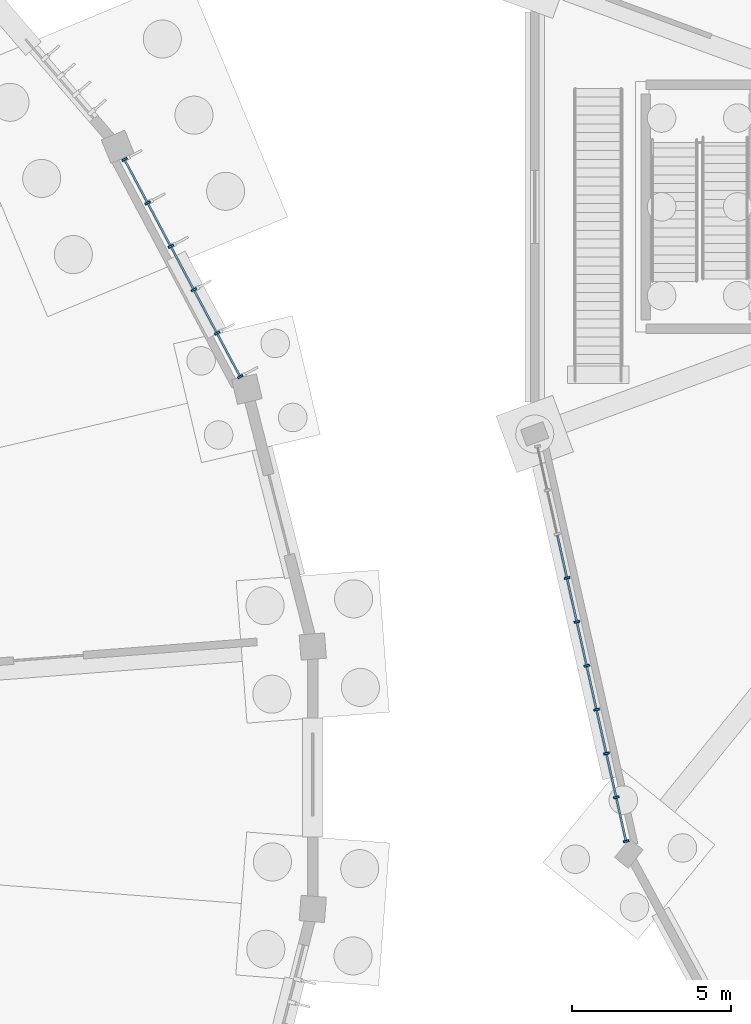
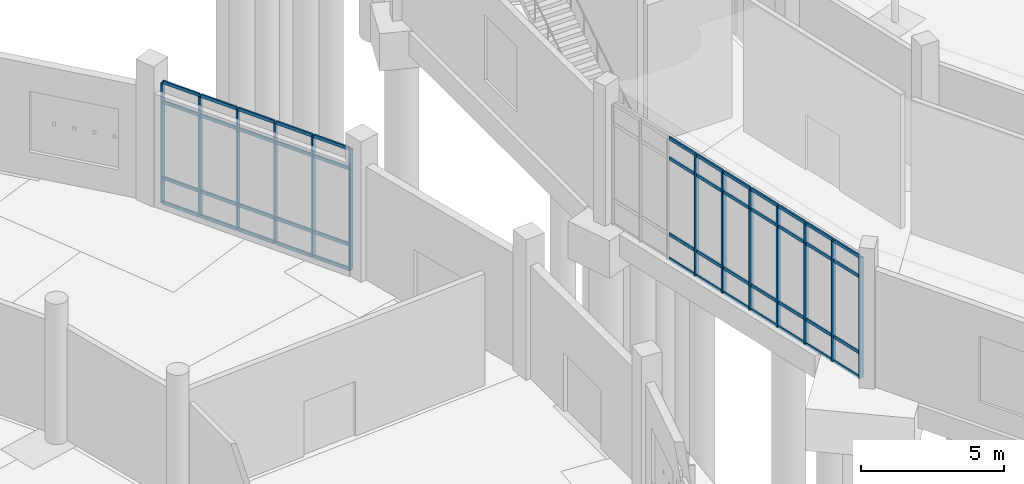
# One storey, part 41 of 140: 61 members, 2 elements without a shape of their own.
"""IFC4 building model written with IfcOpenShell, lengths in metres."""

from ifc_helpers import new_model, si_unit, direction, frame, origin, origin_2d, place, context, subcontext, project, spatial, rectangle, extrude, material, layer, layer_set, material_profile, profile_set, type_object, element, aggregate, save


model = new_model("IFC4")

# Units and contexts
model_context = context("Model", 3, precision=1e-05, world=origin(), true_north=direction((0.0, 1.0)))
body_context = subcontext(model_context, "Body", "Model", "MODEL_VIEW")
ifc_project = project(units=[si_unit("LENGTHUNIT", "METRE"), si_unit("AREAUNIT", "SQUARE_METRE"), si_unit("VOLUMEUNIT", "CUBIC_METRE"), si_unit("PLANEANGLEUNIT", "RADIAN"), si_unit("MASSUNIT", "GRAM", prefix="KILO")], contexts=[model_context])

# Site, building, storey
site_placement = place(None, origin())
site = spatial("IfcSite", under=ifc_project, at=site_placement, CompositionType="ELEMENT")
building_placement = place(site_placement, origin())
building = spatial("IfcBuilding", under=site, at=building_placement, Name="Corvandel Quay Wholesale Market", CompositionType="ELEMENT")
storey_placement = place(building_placement, origin())
storey = spatial("IfcBuildingStorey", under=building, at=storey_placement, Name="L00", CompositionType="ELEMENT", Elevation=0.0)

# Curtain wall, members
ifc_material_1 = material(Name="Bronze anodised aluminium and low-E insulated glazing", Category="aluminium")
ifc_layer_1 = layer(ifc_material_1, 0.174072265625)
ifc_layer_set_1 = layer_set([ifc_layer_1], Name="Bronze anodised aluminium and low-E insulated glazing")
curtain_wall_type_1 = type_object("IfcCurtainWallType", Name="Stick Curtain Wall System CW02 H3180", PredefinedType="NOTDEFINED", material=ifc_layer_set_1)
curtain_wall_1_placement = place(storey_placement, origin())
curtain_wall_1 = element("IfcCurtainWall", 1, at=curtain_wall_1_placement, inside=storey, type_object=curtain_wall_type_1, Name="Curtain Wall CW-0003", PredefinedType="NOTDEFINED")
ifc_material_2 = material(Name="Anodised aluminium 6063-T6", Category="aluminium")
ifc_material_profile_1 = material_profile(ifc_material_2, rectangle(XDim=0.06494140625, YDim=0.179931640625, at=origin_2d()), Name="ALU-MUL-65x180")
ifc_profile_set_1 = profile_set([ifc_material_profile_1], Name="Anodised aluminium 6063-T6")
member_type_1 = type_object("IfcMemberType", Name="Curtain Wall Mullion ML01 65x180", PredefinedType="MULLION", material=ifc_profile_set_1)
member_1_placement = place(storey_placement, frame((165.71337890625, 54.648193359375, 0.0), z_axis=(0.0, 0.0, 1.0), x_axis=(-0.470087862033, 0.882619624736, 0.0)))
member_1 = element("IfcMember", 2, at=member_1_placement, type_object=member_type_1, Name="Mullion CW-0003-M00", PredefinedType="MULLION", context=body_context, shape_type="SweptSolid", body=[
    extrude(rectangle(XDim=0.06494140625, YDim=0.179931640625, at=origin_2d()), origin(), (0.0, 0.0, 1.0), 5.14990234375),
])
member_2_placement = place(storey_placement, frame((164.98388671875, 56.017822265625, 0.0), z_axis=(0.0, 0.0, 1.0), x_axis=(-0.470087862033, 0.882619624736, 0.0)))
member_2 = element("IfcMember", 3, at=member_2_placement, type_object=member_type_1, Name="Mullion CW-0003-M01", PredefinedType="MULLION", context=body_context, shape_type="SweptSolid", body=[
    extrude(rectangle(XDim=0.06494140625, YDim=0.179931640625, at=origin_2d()), origin(), (0.0, 0.0, 1.0), 5.14990234375),
])
member_3_placement = place(storey_placement, frame((164.25439453125, 57.3876953125, 0.0), z_axis=(0.0, 0.0, 1.0), x_axis=(-0.470087862033, 0.882619624736, 0.0)))
member_3 = element("IfcMember", 4, at=member_3_placement, type_object=member_type_1, Name="Mullion CW-0003-M02", PredefinedType="MULLION", context=body_context, shape_type="SweptSolid", body=[
    extrude(rectangle(XDim=0.06494140625, YDim=0.179931640625, at=origin_2d()), origin(), (0.0, 0.0, 1.0), 5.14990234375),
])
member_4_placement = place(storey_placement, frame((163.524658203125, 58.75732421875, 0.0), z_axis=(0.0, 0.0, 1.0), x_axis=(-0.470087862033, 0.882619624736, 0.0)))
member_4 = element("IfcMember", 5, at=member_4_placement, type_object=member_type_1, Name="Mullion CW-0003-M03", PredefinedType="MULLION", context=body_context, shape_type="SweptSolid", body=[
    extrude(rectangle(XDim=0.06494140625, YDim=0.179931640625, at=origin_2d()), origin(), (0.0, 0.0, 1.0), 5.14990234375),
])
member_5_placement = place(storey_placement, frame((162.795166015625, 60.127197265625, 0.0), z_axis=(0.0, 0.0, 1.0), x_axis=(-0.470087862033, 0.882619624736, 0.0)))
member_5 = element("IfcMember", 6, at=member_5_placement, type_object=member_type_1, Name="Mullion CW-0003-M04", PredefinedType="MULLION", context=body_context, shape_type="SweptSolid", body=[
    extrude(rectangle(XDim=0.06494140625, YDim=0.179931640625, at=origin_2d()), origin(), (0.0, 0.0, 1.0), 5.14990234375),
])
member_6_placement = place(storey_placement, frame((162.0654296875, 61.496826171875, 0.0), z_axis=(0.0, 0.0, 1.0), x_axis=(-0.470087862033, 0.882619624736, 0.0)))
member_6 = element("IfcMember", 7, at=member_6_placement, type_object=member_type_1, Name="Mullion CW-0003-M05", PredefinedType="MULLION", context=body_context, shape_type="SweptSolid", body=[
    extrude(rectangle(XDim=0.06494140625, YDim=0.179931640625, at=origin_2d()), origin(), (0.0, 0.0, 1.0), 5.14990234375),
])

ifc_layer_2 = layer(ifc_material_1, 0.14990234375)
ifc_layer_set_2 = layer_set([ifc_layer_2], Name="Bronze anodised aluminium and low-E insulated glazing")
curtain_wall_type_2 = type_object("IfcCurtainWallType", Name="Stick Curtain Wall System CW10 H3900", PredefinedType="NOTDEFINED", material=ifc_layer_set_2)
curtain_wall_2_placement = place(storey_placement, origin())
curtain_wall_2 = element("IfcCurtainWall", 8, at=curtain_wall_2_placement, inside=storey, type_object=curtain_wall_type_2, Name="Curtain Wall CW-0136", PredefinedType="NOTDEFINED")
member_7_placement = place(storey_placement, frame((176.018798828125, 48.298583984375, 0.0), z_axis=(0.0, 0.0, 1.0), x_axis=(-0.218994806262, 0.975726024471, 0.0)))
member_7 = element("IfcMember", 9, at=member_7_placement, type_object=member_type_1, Name="Mullion CW-0136-M03", PredefinedType="MULLION", context=body_context, shape_type="SweptSolid", body=[
    extrude(rectangle(XDim=0.06494140625, YDim=0.179931640625, at=origin_2d()), origin(), (0.0, 0.0, 1.0), 5.14990234375),
])
member_8_placement = place(storey_placement, frame((176.329345703125, 46.915283203125, 0.0), z_axis=(0.0, 0.0, 1.0), x_axis=(-0.218994806262, 0.975726024471, 0.0)))
member_8 = element("IfcMember", 10, at=member_8_placement, type_object=member_type_1, Name="Mullion CW-0136-M04", PredefinedType="MULLION", context=body_context, shape_type="SweptSolid", body=[
    extrude(rectangle(XDim=0.06494140625, YDim=0.179931640625, at=origin_2d()), origin(), (0.0, 0.0, 1.0), 5.14990234375),
])
member_9_placement = place(storey_placement, frame((176.6396484375, 45.53173828125, 0.0), z_axis=(0.0, 0.0, 1.0), x_axis=(-0.218994806262, 0.975726024471, 0.0)))
member_9 = element("IfcMember", 11, at=member_9_placement, type_object=member_type_1, Name="Mullion CW-0136-M05", PredefinedType="MULLION", context=body_context, shape_type="SweptSolid", body=[
    extrude(rectangle(XDim=0.06494140625, YDim=0.179931640625, at=origin_2d()), origin(), (0.0, 0.0, 1.0), 5.14990234375),
])
member_10_placement = place(storey_placement, frame((176.9501953125, 44.1484375, 0.0), z_axis=(0.0, 0.0, 1.0), x_axis=(-0.218994806262, 0.975726024471, 0.0)))
member_10 = element("IfcMember", 12, at=member_10_placement, type_object=member_type_1, Name="Mullion CW-0136-M06", PredefinedType="MULLION", context=body_context, shape_type="SweptSolid", body=[
    extrude(rectangle(XDim=0.06494140625, YDim=0.179931640625, at=origin_2d()), origin(), (0.0, 0.0, 1.0), 5.14990234375),
])
member_11_placement = place(storey_placement, frame((177.260498046875, 42.76513671875, 0.0), z_axis=(0.0, 0.0, 1.0), x_axis=(-0.218994806262, 0.975726024471, 0.0)))
member_11 = element("IfcMember", 13, at=member_11_placement, type_object=member_type_1, Name="Mullion CW-0136-M07", PredefinedType="MULLION", context=body_context, shape_type="SweptSolid", body=[
    extrude(rectangle(XDim=0.06494140625, YDim=0.179931640625, at=origin_2d()), origin(), (0.0, 0.0, 1.0), 5.14990234375),
])
member_12_placement = place(storey_placement, frame((177.571044921875, 41.381591796875, 0.0), z_axis=(0.0, 0.0, 1.0), x_axis=(-0.218994806262, 0.975726024471, 0.0)))
member_12 = element("IfcMember", 14, at=member_12_placement, type_object=member_type_1, Name="Mullion CW-0136-M08", PredefinedType="MULLION", context=body_context, shape_type="SweptSolid", body=[
    extrude(rectangle(XDim=0.06494140625, YDim=0.179931640625, at=origin_2d()), origin(), (0.0, 0.0, 1.0), 5.14990234375),
])
member_13_placement = place(storey_placement, frame((177.88134765625, 39.998291015625, 0.0), z_axis=(0.0, 0.0, 1.0), x_axis=(-0.218994806262, 0.975726024471, 0.0)))
member_13 = element("IfcMember", 15, at=member_13_placement, type_object=member_type_1, Name="Mullion CW-0136-M09", PredefinedType="MULLION", context=body_context, shape_type="SweptSolid", body=[
    extrude(rectangle(XDim=0.06494140625, YDim=0.179931640625, at=origin_2d()), origin(), (0.0, 0.0, 1.0), 5.14990234375),
])

# Member
ifc_material_profile_2 = material_profile(ifc_material_2, rectangle(XDim=0.06494140625, YDim=0.139892578125, at=origin_2d()), Name="ALU-TRN-65x140")
ifc_profile_set_2 = profile_set([ifc_material_profile_2], Name="Anodised aluminium 6063-T6")
member_type_2 = type_object("IfcMemberType", Name="Curtain Wall Transom TR01 65x140", PredefinedType="USERDEFINED", material=ifc_profile_set_2)
member_14_placement = place(storey_placement, frame((165.6982421875, 54.677001953125, 0.0), z_axis=(-0.470119417089, 0.882602817623, 0.0), x_axis=(-0.882602817623, -0.470119417089, 0.0)))
member_14 = element("IfcMember", 16, at=member_14_placement, type_object=member_type_2, Name="Transom CW-0003-T00-0", ObjectType="TRANSOM", PredefinedType="USERDEFINED", context=body_context, shape_type="SweptSolid", body=[
    extrude(rectangle(XDim=0.06494140625, YDim=0.139892578125, at=origin_2d()), origin(), (0.0, 0.0, 1.0), 1.48681640625),
])

member_15_placement = place(storey_placement, frame((165.6982421875, 54.677001953125, 1.050048828125), z_axis=(-0.470119417089, 0.882602817623, 0.0), x_axis=(-0.882602817623, -0.470119417089, 0.0)))
member_15 = element("IfcMember", 17, at=member_15_placement, type_object=member_type_2, Name="Transom CW-0003-T00-1", ObjectType="TRANSOM", PredefinedType="USERDEFINED", context=body_context, shape_type="SweptSolid", body=[
    extrude(rectangle(XDim=0.06494140625, YDim=0.139892578125, at=origin_2d()), origin(), (0.0, 0.0, 1.0), 1.48681640625),
])

member_16_placement = place(storey_placement, frame((165.6982421875, 54.677001953125, 4.300048828125), z_axis=(-0.470119417089, 0.882602817623, 0.0), x_axis=(-0.882602817623, -0.470119417089, 0.0)))
member_16 = element("IfcMember", 18, at=member_16_placement, type_object=member_type_2, Name="Transom CW-0003-T00-2", ObjectType="TRANSOM", PredefinedType="USERDEFINED", context=body_context, shape_type="SweptSolid", body=[
    extrude(rectangle(XDim=0.06494140625, YDim=0.139892578125, at=origin_2d()), origin(), (0.0, 0.0, 1.0), 1.48681640625),
])

member_17_placement = place(storey_placement, frame((165.6982421875, 54.677001953125, 5.14990234375), z_axis=(-0.470119417089, 0.882602817623, 0.0), x_axis=(-0.882602817623, -0.470119417089, 0.0)))
member_17 = element("IfcMember", 19, at=member_17_placement, type_object=member_type_2, Name="Transom CW-0003-T00-3", ObjectType="TRANSOM", PredefinedType="USERDEFINED", context=body_context, shape_type="SweptSolid", body=[
    extrude(rectangle(XDim=0.06494140625, YDim=0.139892578125, at=origin_2d()), origin(), (0.0, 0.0, 1.0), 1.48681640625),
])

member_18_placement = place(storey_placement, frame((164.968505859375, 56.046630859375, 0.0), z_axis=(-0.470119417089, 0.882602817623, 0.0), x_axis=(-0.882602817623, -0.470119417089, 0.0)))
member_18 = element("IfcMember", 20, at=member_18_placement, type_object=member_type_2, Name="Transom CW-0003-T01-0", ObjectType="TRANSOM", PredefinedType="USERDEFINED", context=body_context, shape_type="SweptSolid", body=[
    extrude(rectangle(XDim=0.06494140625, YDim=0.139892578125, at=origin_2d()), origin(), (0.0, 0.0, 1.0), 1.48681640625),
])

member_19_placement = place(storey_placement, frame((164.968505859375, 56.046630859375, 1.050048828125), z_axis=(-0.470119417089, 0.882602817623, 0.0), x_axis=(-0.882602817623, -0.470119417089, 0.0)))
member_19 = element("IfcMember", 21, at=member_19_placement, type_object=member_type_2, Name="Transom CW-0003-T01-1", ObjectType="TRANSOM", PredefinedType="USERDEFINED", context=body_context, shape_type="SweptSolid", body=[
    extrude(rectangle(XDim=0.06494140625, YDim=0.139892578125, at=origin_2d()), origin(), (0.0, 0.0, 1.0), 1.48681640625),
])

member_20_placement = place(storey_placement, frame((164.968505859375, 56.046630859375, 4.300048828125), z_axis=(-0.470119417089, 0.882602817623, 0.0), x_axis=(-0.882602817623, -0.470119417089, 0.0)))
member_20 = element("IfcMember", 22, at=member_20_placement, type_object=member_type_2, Name="Transom CW-0003-T01-2", ObjectType="TRANSOM", PredefinedType="USERDEFINED", context=body_context, shape_type="SweptSolid", body=[
    extrude(rectangle(XDim=0.06494140625, YDim=0.139892578125, at=origin_2d()), origin(), (0.0, 0.0, 1.0), 1.48681640625),
])

member_21_placement = place(storey_placement, frame((164.968505859375, 56.046630859375, 5.14990234375), z_axis=(-0.470119417089, 0.882602817623, 0.0), x_axis=(-0.882602817623, -0.470119417089, 0.0)))
member_21 = element("IfcMember", 23, at=member_21_placement, type_object=member_type_2, Name="Transom CW-0003-T01-3", ObjectType="TRANSOM", PredefinedType="USERDEFINED", context=body_context, shape_type="SweptSolid", body=[
    extrude(rectangle(XDim=0.06494140625, YDim=0.139892578125, at=origin_2d()), origin(), (0.0, 0.0, 1.0), 1.48681640625),
])

member_22_placement = place(storey_placement, frame((164.239013671875, 57.416259765625, 0.0), z_axis=(-0.470051292118, 0.882639101093, 0.0), x_axis=(-0.882639101093, -0.470051292118, 0.0)))
member_22 = element("IfcMember", 24, at=member_22_placement, type_object=member_type_2, Name="Transom CW-0003-T02-0", ObjectType="TRANSOM", PredefinedType="USERDEFINED", context=body_context, shape_type="SweptSolid", body=[
    extrude(rectangle(XDim=0.06494140625, YDim=0.139892578125, at=origin_2d()), origin(), (0.0, 0.0, 1.0), 1.487060546875),
])

member_23_placement = place(storey_placement, frame((164.239013671875, 57.416259765625, 1.050048828125), z_axis=(-0.470051292118, 0.882639101093, 0.0), x_axis=(-0.882639101093, -0.470051292118, 0.0)))
member_23 = element("IfcMember", 25, at=member_23_placement, type_object=member_type_2, Name="Transom CW-0003-T02-1", ObjectType="TRANSOM", PredefinedType="USERDEFINED", context=body_context, shape_type="SweptSolid", body=[
    extrude(rectangle(XDim=0.06494140625, YDim=0.139892578125, at=origin_2d()), origin(), (0.0, 0.0, 1.0), 1.487060546875),
])

member_24_placement = place(storey_placement, frame((164.239013671875, 57.416259765625, 4.300048828125), z_axis=(-0.470051292118, 0.882639101093, 0.0), x_axis=(-0.882639101093, -0.470051292118, 0.0)))
member_24 = element("IfcMember", 26, at=member_24_placement, type_object=member_type_2, Name="Transom CW-0003-T02-2", ObjectType="TRANSOM", PredefinedType="USERDEFINED", context=body_context, shape_type="SweptSolid", body=[
    extrude(rectangle(XDim=0.06494140625, YDim=0.139892578125, at=origin_2d()), origin(), (0.0, 0.0, 1.0), 1.487060546875),
])

member_25_placement = place(storey_placement, frame((164.239013671875, 57.416259765625, 5.14990234375), z_axis=(-0.470051292118, 0.882639101093, 0.0), x_axis=(-0.882639101093, -0.470051292118, 0.0)))
member_25 = element("IfcMember", 27, at=member_25_placement, type_object=member_type_2, Name="Transom CW-0003-T02-3", ObjectType="TRANSOM", PredefinedType="USERDEFINED", context=body_context, shape_type="SweptSolid", body=[
    extrude(rectangle(XDim=0.06494140625, YDim=0.139892578125, at=origin_2d()), origin(), (0.0, 0.0, 1.0), 1.487060546875),
])

member_26_placement = place(storey_placement, frame((163.509521484375, 58.785888671875, 0.0), z_axis=(-0.470179183109, 0.882570980585, 0.0), x_axis=(-0.882570980585, -0.470179183109, 0.0)))
member_26 = element("IfcMember", 28, at=member_26_placement, type_object=member_type_2, Name="Transom CW-0003-T03-0", ObjectType="TRANSOM", PredefinedType="USERDEFINED", context=body_context, shape_type="SweptSolid", body=[
    extrude(rectangle(XDim=0.06494140625, YDim=0.139892578125, at=origin_2d()), origin(), (0.0, 0.0, 1.0), 1.487060546875),
])

member_27_placement = place(storey_placement, frame((163.509521484375, 58.785888671875, 1.050048828125), z_axis=(-0.470179183109, 0.882570980585, 0.0), x_axis=(-0.882570980585, -0.470179183109, 0.0)))
member_27 = element("IfcMember", 29, at=member_27_placement, type_object=member_type_2, Name="Transom CW-0003-T03-1", ObjectType="TRANSOM", PredefinedType="USERDEFINED", context=body_context, shape_type="SweptSolid", body=[
    extrude(rectangle(XDim=0.06494140625, YDim=0.139892578125, at=origin_2d()), origin(), (0.0, 0.0, 1.0), 1.487060546875),
])

member_28_placement = place(storey_placement, frame((163.509521484375, 58.785888671875, 4.300048828125), z_axis=(-0.470179183109, 0.882570980585, 0.0), x_axis=(-0.882570980585, -0.470179183109, 0.0)))
member_28 = element("IfcMember", 30, at=member_28_placement, type_object=member_type_2, Name="Transom CW-0003-T03-2", ObjectType="TRANSOM", PredefinedType="USERDEFINED", context=body_context, shape_type="SweptSolid", body=[
    extrude(rectangle(XDim=0.06494140625, YDim=0.139892578125, at=origin_2d()), origin(), (0.0, 0.0, 1.0), 1.487060546875),
])

member_29_placement = place(storey_placement, frame((163.509521484375, 58.785888671875, 5.14990234375), z_axis=(-0.470179183109, 0.882570980585, 0.0), x_axis=(-0.882570980585, -0.470179183109, 0.0)))
member_29 = element("IfcMember", 31, at=member_29_placement, type_object=member_type_2, Name="Transom CW-0003-T03-3", ObjectType="TRANSOM", PredefinedType="USERDEFINED", context=body_context, shape_type="SweptSolid", body=[
    extrude(rectangle(XDim=0.06494140625, YDim=0.139892578125, at=origin_2d()), origin(), (0.0, 0.0, 1.0), 1.487060546875),
])

member_30_placement = place(storey_placement, frame((162.77978515625, 60.15576171875, 0.0), z_axis=(-0.470119417089, 0.882602817623, 0.0), x_axis=(-0.882602817623, -0.470119417089, 0.0)))
member_30 = element("IfcMember", 32, at=member_30_placement, type_object=member_type_2, Name="Transom CW-0003-T04-0", ObjectType="TRANSOM", PredefinedType="USERDEFINED", context=body_context, shape_type="SweptSolid", body=[
    extrude(rectangle(XDim=0.06494140625, YDim=0.139892578125, at=origin_2d()), origin(), (0.0, 0.0, 1.0), 1.48681640625),
])

member_31_placement = place(storey_placement, frame((162.77978515625, 60.15576171875, 1.050048828125), z_axis=(-0.470119417089, 0.882602817623, 0.0), x_axis=(-0.882602817623, -0.470119417089, 0.0)))
member_31 = element("IfcMember", 33, at=member_31_placement, type_object=member_type_2, Name="Transom CW-0003-T04-1", ObjectType="TRANSOM", PredefinedType="USERDEFINED", context=body_context, shape_type="SweptSolid", body=[
    extrude(rectangle(XDim=0.06494140625, YDim=0.139892578125, at=origin_2d()), origin(), (0.0, 0.0, 1.0), 1.48681640625),
])

member_32_placement = place(storey_placement, frame((162.77978515625, 60.15576171875, 4.300048828125), z_axis=(-0.470119417089, 0.882602817623, 0.0), x_axis=(-0.882602817623, -0.470119417089, 0.0)))
member_32 = element("IfcMember", 34, at=member_32_placement, type_object=member_type_2, Name="Transom CW-0003-T04-2", ObjectType="TRANSOM", PredefinedType="USERDEFINED", context=body_context, shape_type="SweptSolid", body=[
    extrude(rectangle(XDim=0.06494140625, YDim=0.139892578125, at=origin_2d()), origin(), (0.0, 0.0, 1.0), 1.48681640625),
])

member_33_placement = place(storey_placement, frame((162.77978515625, 60.15576171875, 5.14990234375), z_axis=(-0.470119417089, 0.882602817623, 0.0), x_axis=(-0.882602817623, -0.470119417089, 0.0)))
member_33 = element("IfcMember", 35, at=member_33_placement, type_object=member_type_2, Name="Transom CW-0003-T04-3", ObjectType="TRANSOM", PredefinedType="USERDEFINED", context=body_context, shape_type="SweptSolid", body=[
    extrude(rectangle(XDim=0.06494140625, YDim=0.139892578125, at=origin_2d()), origin(), (0.0, 0.0, 1.0), 1.48681640625),
])

aggregate(curtain_wall_1, [member_1, member_2, member_3, member_4, member_5, member_6, member_14, member_15, member_16, member_17, member_18, member_19, member_20, member_21, member_22, member_23, member_24, member_25, member_26, member_27, member_28, member_29, member_30, member_31, member_32, member_33])

member_34_placement = place(storey_placement, frame((175.715576171875, 49.650146484375, 0.0), z_axis=(0.218936644466, -0.975739076654, 0.0), x_axis=(0.975739076654, 0.218936644466, 0.0)))
member_34 = element("IfcMember", 36, at=member_34_placement, type_object=member_type_2, Name="Transom CW-0136-T02-0", ObjectType="TRANSOM", PredefinedType="USERDEFINED", context=body_context, shape_type="SweptSolid", body=[
    extrude(rectangle(XDim=0.06494140625, YDim=0.139892578125, at=origin_2d()), origin(), (0.0, 0.0, 1.0), 1.3525390625),
])

member_35_placement = place(storey_placement, frame((175.715576171875, 49.650146484375, 1.050048828125), z_axis=(0.218936644466, -0.975739076654, 0.0), x_axis=(0.975739076654, 0.218936644466, 0.0)))
member_35 = element("IfcMember", 37, at=member_35_placement, type_object=member_type_2, Name="Transom CW-0136-T02-1", ObjectType="TRANSOM", PredefinedType="USERDEFINED", context=body_context, shape_type="SweptSolid", body=[
    extrude(rectangle(XDim=0.06494140625, YDim=0.139892578125, at=origin_2d()), origin(), (0.0, 0.0, 1.0), 1.3525390625),
])

member_36_placement = place(storey_placement, frame((175.715576171875, 49.650146484375, 4.300048828125), z_axis=(0.218936644466, -0.975739076654, 0.0), x_axis=(0.975739076654, 0.218936644466, 0.0)))
member_36 = element("IfcMember", 38, at=member_36_placement, type_object=member_type_2, Name="Transom CW-0136-T02-2", ObjectType="TRANSOM", PredefinedType="USERDEFINED", context=body_context, shape_type="SweptSolid", body=[
    extrude(rectangle(XDim=0.06494140625, YDim=0.139892578125, at=origin_2d()), origin(), (0.0, 0.0, 1.0), 1.3525390625),
])

member_37_placement = place(storey_placement, frame((175.715576171875, 49.650146484375, 5.14990234375), z_axis=(0.218936644466, -0.975739076654, 0.0), x_axis=(0.975739076654, 0.218936644466, 0.0)))
member_37 = element("IfcMember", 39, at=member_37_placement, type_object=member_type_2, Name="Transom CW-0136-T02-3", ObjectType="TRANSOM", PredefinedType="USERDEFINED", context=body_context, shape_type="SweptSolid", body=[
    extrude(rectangle(XDim=0.06494140625, YDim=0.139892578125, at=origin_2d()), origin(), (0.0, 0.0, 1.0), 1.3525390625),
])

member_38_placement = place(storey_placement, frame((176.02587890625, 48.266845703125, 0.0), z_axis=(0.21910847459, -0.975700505464, 0.0), x_axis=(0.975700505464, 0.21910847459, 0.0)))
member_38 = element("IfcMember", 40, at=member_38_placement, type_object=member_type_2, Name="Transom CW-0136-T03-0", ObjectType="TRANSOM", PredefinedType="USERDEFINED", context=body_context, shape_type="SweptSolid", body=[
    extrude(rectangle(XDim=0.06494140625, YDim=0.139892578125, at=origin_2d()), origin(), (0.0, 0.0, 1.0), 1.352783203125),
])

member_39_placement = place(storey_placement, frame((176.02587890625, 48.266845703125, 1.050048828125), z_axis=(0.21910847459, -0.975700505464, 0.0), x_axis=(0.975700505464, 0.21910847459, 0.0)))
member_39 = element("IfcMember", 41, at=member_39_placement, type_object=member_type_2, Name="Transom CW-0136-T03-1", ObjectType="TRANSOM", PredefinedType="USERDEFINED", context=body_context, shape_type="SweptSolid", body=[
    extrude(rectangle(XDim=0.06494140625, YDim=0.139892578125, at=origin_2d()), origin(), (0.0, 0.0, 1.0), 1.352783203125),
])

member_40_placement = place(storey_placement, frame((176.02587890625, 48.266845703125, 4.300048828125), z_axis=(0.21910847459, -0.975700505464, 0.0), x_axis=(0.975700505464, 0.21910847459, 0.0)))
member_40 = element("IfcMember", 42, at=member_40_placement, type_object=member_type_2, Name="Transom CW-0136-T03-2", ObjectType="TRANSOM", PredefinedType="USERDEFINED", context=body_context, shape_type="SweptSolid", body=[
    extrude(rectangle(XDim=0.06494140625, YDim=0.139892578125, at=origin_2d()), origin(), (0.0, 0.0, 1.0), 1.352783203125),
])

member_41_placement = place(storey_placement, frame((176.02587890625, 48.266845703125, 5.14990234375), z_axis=(0.21910847459, -0.975700505464, 0.0), x_axis=(0.975700505464, 0.21910847459, 0.0)))
member_41 = element("IfcMember", 43, at=member_41_placement, type_object=member_type_2, Name="Transom CW-0136-T03-3", ObjectType="TRANSOM", PredefinedType="USERDEFINED", context=body_context, shape_type="SweptSolid", body=[
    extrude(rectangle(XDim=0.06494140625, YDim=0.139892578125, at=origin_2d()), origin(), (0.0, 0.0, 1.0), 1.352783203125),
])

member_42_placement = place(storey_placement, frame((176.33642578125, 46.883544921875, 0.0), z_axis=(0.2188980935, -0.975747725932, 0.0), x_axis=(0.975747725932, 0.2188980935, 0.0)))
member_42 = element("IfcMember", 44, at=member_42_placement, type_object=member_type_2, Name="Transom CW-0136-T04-0", ObjectType="TRANSOM", PredefinedType="USERDEFINED", context=body_context, shape_type="SweptSolid", body=[
    extrude(rectangle(XDim=0.06494140625, YDim=0.139892578125, at=origin_2d()), origin(), (0.0, 0.0, 1.0), 1.352783203125),
])

member_43_placement = place(storey_placement, frame((176.33642578125, 46.883544921875, 1.050048828125), z_axis=(0.2188980935, -0.975747725932, 0.0), x_axis=(0.975747725932, 0.2188980935, 0.0)))
member_43 = element("IfcMember", 45, at=member_43_placement, type_object=member_type_2, Name="Transom CW-0136-T04-1", ObjectType="TRANSOM", PredefinedType="USERDEFINED", context=body_context, shape_type="SweptSolid", body=[
    extrude(rectangle(XDim=0.06494140625, YDim=0.139892578125, at=origin_2d()), origin(), (0.0, 0.0, 1.0), 1.352783203125),
])

member_44_placement = place(storey_placement, frame((176.33642578125, 46.883544921875, 4.300048828125), z_axis=(0.2188980935, -0.975747725932, 0.0), x_axis=(0.975747725932, 0.2188980935, 0.0)))
member_44 = element("IfcMember", 46, at=member_44_placement, type_object=member_type_2, Name="Transom CW-0136-T04-2", ObjectType="TRANSOM", PredefinedType="USERDEFINED", context=body_context, shape_type="SweptSolid", body=[
    extrude(rectangle(XDim=0.06494140625, YDim=0.139892578125, at=origin_2d()), origin(), (0.0, 0.0, 1.0), 1.352783203125),
])

member_45_placement = place(storey_placement, frame((176.33642578125, 46.883544921875, 5.14990234375), z_axis=(0.2188980935, -0.975747725932, 0.0), x_axis=(0.975747725932, 0.2188980935, 0.0)))
member_45 = element("IfcMember", 47, at=member_45_placement, type_object=member_type_2, Name="Transom CW-0136-T04-3", ObjectType="TRANSOM", PredefinedType="USERDEFINED", context=body_context, shape_type="SweptSolid", body=[
    extrude(rectangle(XDim=0.06494140625, YDim=0.139892578125, at=origin_2d()), origin(), (0.0, 0.0, 1.0), 1.352783203125),
])

member_46_placement = place(storey_placement, frame((176.646728515625, 45.5, 0.0), z_axis=(0.21910847459, -0.975700505464, 0.0), x_axis=(0.975700505464, 0.21910847459, 0.0)))
member_46 = element("IfcMember", 48, at=member_46_placement, type_object=member_type_2, Name="Transom CW-0136-T05-0", ObjectType="TRANSOM", PredefinedType="USERDEFINED", context=body_context, shape_type="SweptSolid", body=[
    extrude(rectangle(XDim=0.06494140625, YDim=0.139892578125, at=origin_2d()), origin(), (0.0, 0.0, 1.0), 1.352783203125),
])

member_47_placement = place(storey_placement, frame((176.646728515625, 45.5, 1.050048828125), z_axis=(0.21910847459, -0.975700505464, 0.0), x_axis=(0.975700505464, 0.21910847459, 0.0)))
member_47 = element("IfcMember", 49, at=member_47_placement, type_object=member_type_2, Name="Transom CW-0136-T05-1", ObjectType="TRANSOM", PredefinedType="USERDEFINED", context=body_context, shape_type="SweptSolid", body=[
    extrude(rectangle(XDim=0.06494140625, YDim=0.139892578125, at=origin_2d()), origin(), (0.0, 0.0, 1.0), 1.352783203125),
])

member_48_placement = place(storey_placement, frame((176.646728515625, 45.5, 4.300048828125), z_axis=(0.21910847459, -0.975700505464, 0.0), x_axis=(0.975700505464, 0.21910847459, 0.0)))
member_48 = element("IfcMember", 50, at=member_48_placement, type_object=member_type_2, Name="Transom CW-0136-T05-2", ObjectType="TRANSOM", PredefinedType="USERDEFINED", context=body_context, shape_type="SweptSolid", body=[
    extrude(rectangle(XDim=0.06494140625, YDim=0.139892578125, at=origin_2d()), origin(), (0.0, 0.0, 1.0), 1.352783203125),
])

member_49_placement = place(storey_placement, frame((176.646728515625, 45.5, 5.14990234375), z_axis=(0.21910847459, -0.975700505464, 0.0), x_axis=(0.975700505464, 0.21910847459, 0.0)))
member_49 = element("IfcMember", 51, at=member_49_placement, type_object=member_type_2, Name="Transom CW-0136-T05-3", ObjectType="TRANSOM", PredefinedType="USERDEFINED", context=body_context, shape_type="SweptSolid", body=[
    extrude(rectangle(XDim=0.06494140625, YDim=0.139892578125, at=origin_2d()), origin(), (0.0, 0.0, 1.0), 1.352783203125),
])

member_50_placement = place(storey_placement, frame((176.957275390625, 44.11669921875, 0.0), z_axis=(0.218936644466, -0.975739076654, 0.0), x_axis=(0.975739076654, 0.218936644466, 0.0)))
member_50 = element("IfcMember", 52, at=member_50_placement, type_object=member_type_2, Name="Transom CW-0136-T06-0", ObjectType="TRANSOM", PredefinedType="USERDEFINED", context=body_context, shape_type="SweptSolid", body=[
    extrude(rectangle(XDim=0.06494140625, YDim=0.139892578125, at=origin_2d()), origin(), (0.0, 0.0, 1.0), 1.3525390625),
])

member_51_placement = place(storey_placement, frame((176.957275390625, 44.11669921875, 1.050048828125), z_axis=(0.218936644466, -0.975739076654, 0.0), x_axis=(0.975739076654, 0.218936644466, 0.0)))
member_51 = element("IfcMember", 53, at=member_51_placement, type_object=member_type_2, Name="Transom CW-0136-T06-1", ObjectType="TRANSOM", PredefinedType="USERDEFINED", context=body_context, shape_type="SweptSolid", body=[
    extrude(rectangle(XDim=0.06494140625, YDim=0.139892578125, at=origin_2d()), origin(), (0.0, 0.0, 1.0), 1.3525390625),
])

member_52_placement = place(storey_placement, frame((176.957275390625, 44.11669921875, 4.300048828125), z_axis=(0.218936644466, -0.975739076654, 0.0), x_axis=(0.975739076654, 0.218936644466, 0.0)))
member_52 = element("IfcMember", 54, at=member_52_placement, type_object=member_type_2, Name="Transom CW-0136-T06-2", ObjectType="TRANSOM", PredefinedType="USERDEFINED", context=body_context, shape_type="SweptSolid", body=[
    extrude(rectangle(XDim=0.06494140625, YDim=0.139892578125, at=origin_2d()), origin(), (0.0, 0.0, 1.0), 1.3525390625),
])

member_53_placement = place(storey_placement, frame((176.957275390625, 44.11669921875, 5.14990234375), z_axis=(0.218936644466, -0.975739076654, 0.0), x_axis=(0.975739076654, 0.218936644466, 0.0)))
member_53 = element("IfcMember", 55, at=member_53_placement, type_object=member_type_2, Name="Transom CW-0136-T06-3", ObjectType="TRANSOM", PredefinedType="USERDEFINED", context=body_context, shape_type="SweptSolid", body=[
    extrude(rectangle(XDim=0.06494140625, YDim=0.139892578125, at=origin_2d()), origin(), (0.0, 0.0, 1.0), 1.3525390625),
])

member_54_placement = place(storey_placement, frame((177.267578125, 42.7333984375, 0.0), z_axis=(0.219069896418, -0.975709167982, 0.0), x_axis=(0.975709167982, 0.219069896418, 0.0)))
member_54 = element("IfcMember", 56, at=member_54_placement, type_object=member_type_2, Name="Transom CW-0136-T07-0", ObjectType="TRANSOM", PredefinedType="USERDEFINED", context=body_context, shape_type="SweptSolid", body=[
    extrude(rectangle(XDim=0.06494140625, YDim=0.139892578125, at=origin_2d()), origin(), (0.0, 0.0, 1.0), 1.35302734375),
])

member_55_placement = place(storey_placement, frame((177.267578125, 42.7333984375, 1.050048828125), z_axis=(0.219069896418, -0.975709167982, 0.0), x_axis=(0.975709167982, 0.219069896418, 0.0)))
member_55 = element("IfcMember", 57, at=member_55_placement, type_object=member_type_2, Name="Transom CW-0136-T07-1", ObjectType="TRANSOM", PredefinedType="USERDEFINED", context=body_context, shape_type="SweptSolid", body=[
    extrude(rectangle(XDim=0.06494140625, YDim=0.139892578125, at=origin_2d()), origin(), (0.0, 0.0, 1.0), 1.35302734375),
])

member_56_placement = place(storey_placement, frame((177.267578125, 42.7333984375, 4.300048828125), z_axis=(0.219069896418, -0.975709167982, 0.0), x_axis=(0.975709167982, 0.219069896418, 0.0)))
member_56 = element("IfcMember", 58, at=member_56_placement, type_object=member_type_2, Name="Transom CW-0136-T07-2", ObjectType="TRANSOM", PredefinedType="USERDEFINED", context=body_context, shape_type="SweptSolid", body=[
    extrude(rectangle(XDim=0.06494140625, YDim=0.139892578125, at=origin_2d()), origin(), (0.0, 0.0, 1.0), 1.35302734375),
])

member_57_placement = place(storey_placement, frame((177.267578125, 42.7333984375, 5.14990234375), z_axis=(0.219069896418, -0.975709167982, 0.0), x_axis=(0.975709167982, 0.219069896418, 0.0)))
member_57 = element("IfcMember", 59, at=member_57_placement, type_object=member_type_2, Name="Transom CW-0136-T07-3", ObjectType="TRANSOM", PredefinedType="USERDEFINED", context=body_context, shape_type="SweptSolid", body=[
    extrude(rectangle(XDim=0.06494140625, YDim=0.139892578125, at=origin_2d()), origin(), (0.0, 0.0, 1.0), 1.35302734375),
])

member_58_placement = place(storey_placement, frame((177.578125, 41.35009765625, 0.0), z_axis=(0.2188980935, -0.975747725932, 0.0), x_axis=(0.975747725932, 0.2188980935, 0.0)))
member_58 = element("IfcMember", 60, at=member_58_placement, type_object=member_type_2, Name="Transom CW-0136-T08-0", ObjectType="TRANSOM", PredefinedType="USERDEFINED", context=body_context, shape_type="SweptSolid", body=[
    extrude(rectangle(XDim=0.06494140625, YDim=0.139892578125, at=origin_2d()), origin(), (0.0, 0.0, 1.0), 1.352783203125),
])

member_59_placement = place(storey_placement, frame((177.578125, 41.35009765625, 1.050048828125), z_axis=(0.2188980935, -0.975747725932, 0.0), x_axis=(0.975747725932, 0.2188980935, 0.0)))
member_59 = element("IfcMember", 61, at=member_59_placement, type_object=member_type_2, Name="Transom CW-0136-T08-1", ObjectType="TRANSOM", PredefinedType="USERDEFINED", context=body_context, shape_type="SweptSolid", body=[
    extrude(rectangle(XDim=0.06494140625, YDim=0.139892578125, at=origin_2d()), origin(), (0.0, 0.0, 1.0), 1.352783203125),
])

member_60_placement = place(storey_placement, frame((177.578125, 41.35009765625, 4.300048828125), z_axis=(0.2188980935, -0.975747725932, 0.0), x_axis=(0.975747725932, 0.2188980935, 0.0)))
member_60 = element("IfcMember", 62, at=member_60_placement, type_object=member_type_2, Name="Transom CW-0136-T08-2", ObjectType="TRANSOM", PredefinedType="USERDEFINED", context=body_context, shape_type="SweptSolid", body=[
    extrude(rectangle(XDim=0.06494140625, YDim=0.139892578125, at=origin_2d()), origin(), (0.0, 0.0, 1.0), 1.352783203125),
])

member_61_placement = place(storey_placement, frame((177.578125, 41.35009765625, 5.14990234375), z_axis=(0.2188980935, -0.975747725932, 0.0), x_axis=(0.975747725932, 0.2188980935, 0.0)))
member_61 = element("IfcMember", 63, at=member_61_placement, type_object=member_type_2, Name="Transom CW-0136-T08-3", ObjectType="TRANSOM", PredefinedType="USERDEFINED", context=body_context, shape_type="SweptSolid", body=[
    extrude(rectangle(XDim=0.06494140625, YDim=0.139892578125, at=origin_2d()), origin(), (0.0, 0.0, 1.0), 1.352783203125),
])

aggregate(curtain_wall_2, [member_7, member_8, member_9, member_10, member_11, member_12, member_13, member_34, member_35, member_36, member_37, member_38, member_39, member_40, member_41, member_42, member_43, member_44, member_45, member_46, member_47, member_48, member_49, member_50, member_51, member_52, member_53, member_54, member_55, member_56, member_57, member_58, member_59, member_60, member_61])

save(model, "model.ifc")
